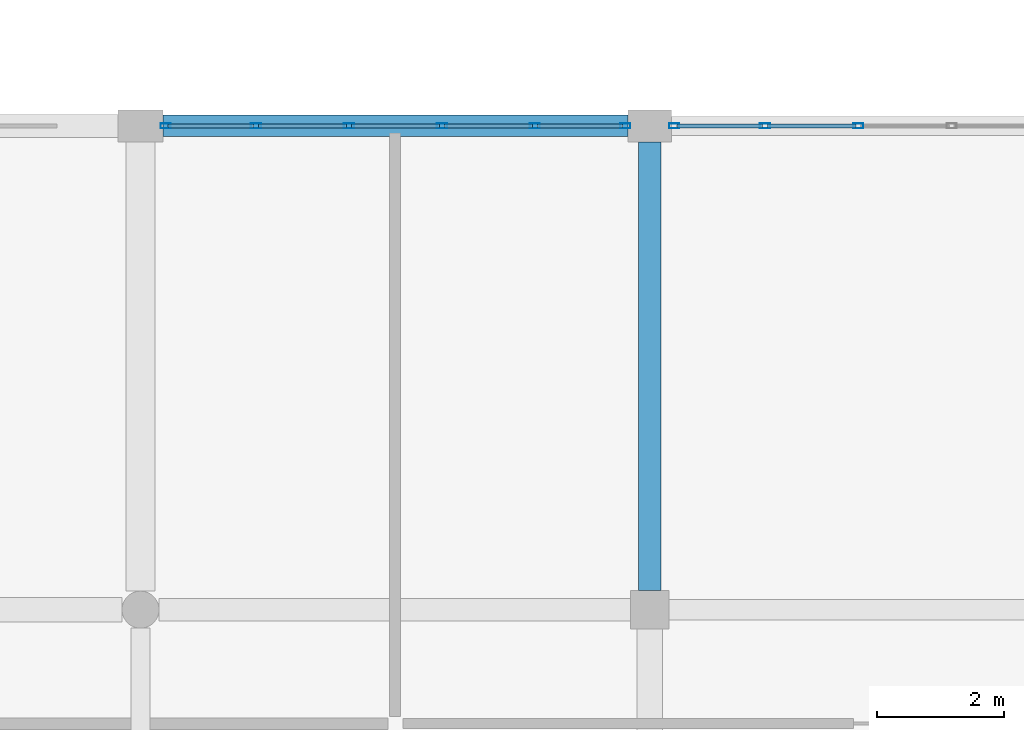
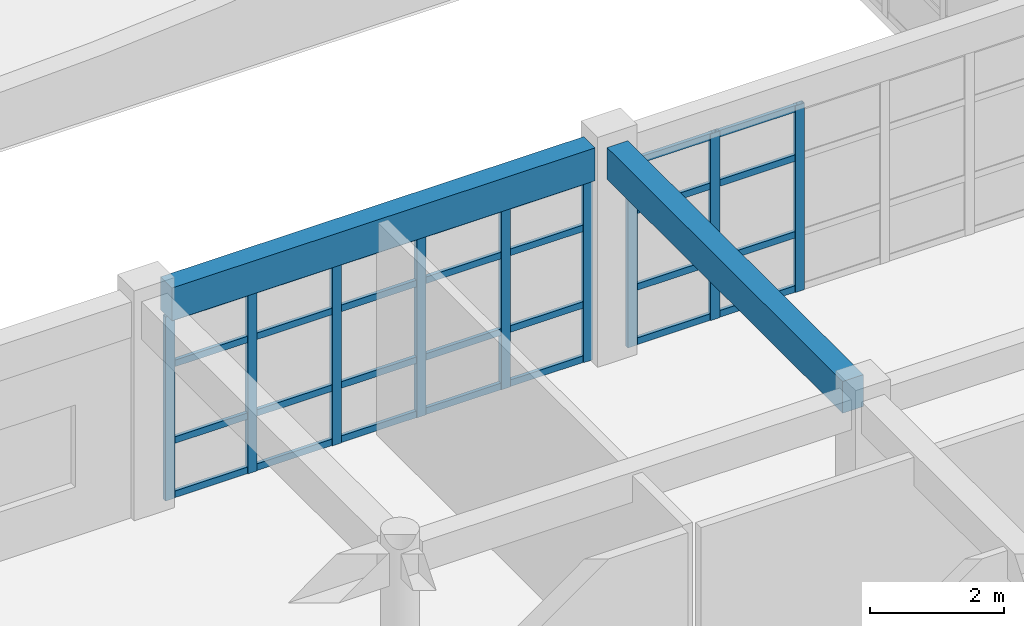
# One storey, part 17 of 121: 37 members, 2 beams, 2 elements without a shape of their own.
"""IFC4 building model written with IfcOpenShell, lengths in metres."""

from ifc_helpers import new_model, si_unit, direction, frame, origin, origin_2d, place, context, subcontext, project, spatial, rectangle, hollow_rectangle, extrude, material, material_profile, profile_set, type_object, element, aggregate, save


model = new_model("IFC4")

# Units and contexts
model_context = context("Model", 3, precision=1e-05, world=origin(), true_north=direction((0.0, 1.0)))
body_context = subcontext(model_context, "Body", "Model", "MODEL_VIEW")
ifc_project = project(units=[si_unit("LENGTHUNIT", "METRE"), si_unit("AREAUNIT", "SQUARE_METRE"), si_unit("VOLUMEUNIT", "CUBIC_METRE"), si_unit("PLANEANGLEUNIT", "RADIAN"), si_unit("MASSUNIT", "GRAM", prefix="KILO")], contexts=[model_context])

# Site, building, storey
site_placement = place(None, origin())
site = spatial("IfcSite", under=ifc_project, at=site_placement, CompositionType="ELEMENT")
building_placement = place(site_placement, origin())
building = spatial("IfcBuilding", under=site, at=building_placement, Name="Kharva Crest Polytechnic", CompositionType="ELEMENT")
storey_placement = place(building_placement, frame((0.0, 0.0, 13.199951171875)))
storey = spatial("IfcBuildingStorey", under=building, at=storey_placement, Name="L03", CompositionType="ELEMENT", Elevation=13.199951171875)

# Beam
ifc_material_1 = material(Name="Concrete C35/45", Category="concrete")
ifc_material_profile_1 = material_profile(ifc_material_1, rectangle(XDim=0.360107421875, YDim=0.580078125, at=origin_2d()), Name="RECT 360 X 580")
ifc_profile_set_1 = profile_set([ifc_material_profile_1], Name="Concrete C35/45")
beam_type_1 = type_object("IfcBeamType", Name="BM-RC-360X580", PredefinedType="BEAM", material=ifc_profile_set_1)
beam_1_placement = place(storey_placement, frame((24.0, 23.10009765625, 3.670166015625), z_axis=(0.0, 1.0, 0.0), x_axis=(-1.0, 0.0, 0.0)))
element("IfcBeam", 1, at=beam_1_placement, inside=storey, type_object=beam_type_1, Name="L03 Girder 4/D-E", PredefinedType="BEAM", context=body_context, shape_type="SweptSolid", body=[
    extrude(rectangle(XDim=0.360107421875, YDim=0.580078125, at=origin_2d()), origin(), (0.0, 0.0, 1.0), 7.0498046875),
])

# Curtain wall, members
ifc_material_2 = material(Name="Tempered insulated glass", Category="glass")
curtain_wall_type = type_object("IfcCurtainWallType", Name="CW-SYS-COURT", PredefinedType="USERDEFINED", material=ifc_material_2)
curtain_wall_1_placement = place(storey_placement, origin())
curtain_wall_1 = element("IfcCurtainWall", 2, at=curtain_wall_1_placement, inside=storey, type_object=curtain_wall_type, Name="L03 Glazed Curtain Wall CW-130", ObjectType="CURTAIN WALL", PredefinedType="USERDEFINED")
ifc_material_3 = material(Name="Steel S355", Category="steel")
ifc_material_profile_2 = material_profile(ifc_material_3, hollow_rectangle(XDim=0.080078125, YDim=0.159912109375, WallThickness=0.0048828125, at=origin_2d()), Name="RHS 160X80X5.0")
ifc_profile_set_2 = profile_set([ifc_material_profile_2], Name="Steel S355")
member_type_1 = type_object("IfcMemberType", Name="CWM-RHS160X80", PredefinedType="MULLION", material=ifc_profile_set_2)
member_1_placement = place(storey_placement, frame((27.277099609375, 30.39990234375, 0.0), z_axis=(0.0, 0.0, 1.0), x_axis=(0.0, -1.0, 0.0)))
member_1 = element("IfcMember", 3, at=member_1_placement, type_object=member_type_1, Name="CW-130 mullion 4", PredefinedType="MULLION", context=body_context, shape_type="SweptSolid", body=[
    extrude(hollow_rectangle(XDim=0.080078125, YDim=0.159912109375, WallThickness=0.0048828125, at=origin_2d()), origin(), (0.0, 0.0, 1.0), 3.41015625),
])
member_2_placement = place(storey_placement, frame((25.81103515625, 30.39990234375, 0.0), z_axis=(0.0, 0.0, 1.0), x_axis=(0.0, -1.0, 0.0)))
member_2 = element("IfcMember", 4, at=member_2_placement, type_object=member_type_1, Name="CW-130 mullion 5", PredefinedType="MULLION", context=body_context, shape_type="SweptSolid", body=[
    extrude(hollow_rectangle(XDim=0.080078125, YDim=0.159912109375, WallThickness=0.0048828125, at=origin_2d()), origin(), (0.0, 0.0, 1.0), 3.41015625),
])
member_3_placement = place(storey_placement, frame((24.385009765625, 30.39990234375, 0.0), z_axis=(0.0, 0.0, 1.0), x_axis=(0.0, -1.0, 0.0)))
member_3 = element("IfcMember", 5, at=member_3_placement, type_object=member_type_1, Name="CW-130 mullion 6", PredefinedType="MULLION", context=body_context, shape_type="SweptSolid", body=[
    extrude(hollow_rectangle(XDim=0.080078125, YDim=0.159912109375, WallThickness=0.0048828125, at=origin_2d()), origin(), (0.0, 0.0, 1.0), 3.41015625),
])

curtain_wall_2_placement = place(storey_placement, origin())
curtain_wall_2 = element("IfcCurtainWall", 6, at=curtain_wall_2_placement, inside=storey, type_object=curtain_wall_type, Name="L03 Glazed Curtain Wall CW-131", ObjectType="CURTAIN WALL", PredefinedType="USERDEFINED")
member_4_placement = place(storey_placement, frame((23.614990234375, 30.39990234375, 0.0), z_axis=(0.0, 0.0, 1.0), x_axis=(0.0, -1.0, 0.0)))
member_4 = element("IfcMember", 7, at=member_4_placement, type_object=member_type_1, Name="CW-131 mullion 1", PredefinedType="MULLION", context=body_context, shape_type="SweptSolid", body=[
    extrude(hollow_rectangle(XDim=0.080078125, YDim=0.159912109375, WallThickness=0.0048828125, at=origin_2d()), origin(), (0.0, 0.0, 1.0), 3.360107421875),
])
member_5_placement = place(storey_placement, frame((22.195068359375, 30.39990234375, 0.0), z_axis=(0.0, 0.0, 1.0), x_axis=(0.0, -1.0, 0.0)))
member_5 = element("IfcMember", 8, at=member_5_placement, type_object=member_type_1, Name="CW-131 mullion 2", PredefinedType="MULLION", context=body_context, shape_type="SweptSolid", body=[
    extrude(hollow_rectangle(XDim=0.080078125, YDim=0.159912109375, WallThickness=0.0048828125, at=origin_2d()), origin(), (0.0, 0.0, 1.0), 3.360107421875),
])
member_6_placement = place(storey_placement, frame((20.735107421875, 30.39990234375, 0.0), z_axis=(0.0, 0.0, 1.0), x_axis=(0.0, -1.0, 0.0)))
member_6 = element("IfcMember", 9, at=member_6_placement, type_object=member_type_1, Name="CW-131 mullion 3", PredefinedType="MULLION", context=body_context, shape_type="SweptSolid", body=[
    extrude(hollow_rectangle(XDim=0.080078125, YDim=0.159912109375, WallThickness=0.0048828125, at=origin_2d()), origin(), (0.0, 0.0, 1.0), 3.360107421875),
])
member_7_placement = place(storey_placement, frame((19.27490234375, 30.39990234375, 0.0), z_axis=(0.0, 0.0, 1.0), x_axis=(0.0, -1.0, 0.0)))
member_7 = element("IfcMember", 10, at=member_7_placement, type_object=member_type_1, Name="CW-131 mullion 4", PredefinedType="MULLION", context=body_context, shape_type="SweptSolid", body=[
    extrude(hollow_rectangle(XDim=0.080078125, YDim=0.159912109375, WallThickness=0.0048828125, at=origin_2d()), origin(), (0.0, 0.0, 1.0), 3.360107421875),
])
member_8_placement = place(storey_placement, frame((17.81494140625, 30.39990234375, 0.0), z_axis=(0.0, 0.0, 1.0), x_axis=(0.0, -1.0, 0.0)))
member_8 = element("IfcMember", 11, at=member_8_placement, type_object=member_type_1, Name="CW-131 mullion 5", PredefinedType="MULLION", context=body_context, shape_type="SweptSolid", body=[
    extrude(hollow_rectangle(XDim=0.080078125, YDim=0.159912109375, WallThickness=0.0048828125, at=origin_2d()), origin(), (0.0, 0.0, 1.0), 3.360107421875),
])
member_9_placement = place(storey_placement, frame((16.39501953125, 30.39990234375, 0.0), z_axis=(0.0, 0.0, 1.0), x_axis=(0.0, -1.0, 0.0)))
member_9 = element("IfcMember", 12, at=member_9_placement, type_object=member_type_1, Name="CW-131 mullion 6", PredefinedType="MULLION", context=body_context, shape_type="SweptSolid", body=[
    extrude(hollow_rectangle(XDim=0.080078125, YDim=0.159912109375, WallThickness=0.0048828125, at=origin_2d()), origin(), (0.0, 0.0, 1.0), 3.360107421875),
])

# Member
ifc_material_profile_3 = material_profile(ifc_material_3, hollow_rectangle(XDim=0.06005859375, YDim=0.1201171875, WallThickness=0.00390625, at=origin_2d()), Name="RHS 120X60X4.0")
ifc_profile_set_3 = profile_set([ifc_material_profile_3], Name="Steel S355")
member_type_2 = type_object("IfcMemberType", Name="CWT-RHS120X60", PredefinedType="USERDEFINED", material=ifc_profile_set_3)
member_10_placement = place(storey_placement, frame((27.237060546875, 30.39990234375, 0.06005859375), z_axis=(-1.0, 0.0, 0.0), x_axis=(0.0, -1.0, 0.0)))
member_10 = element("IfcMember", 13, at=member_10_placement, type_object=member_type_2, Name="CW-130 transom 4.1", ObjectType="TRANSOM", PredefinedType="USERDEFINED", context=body_context, shape_type="SweptSolid", body=[
    extrude(hollow_rectangle(XDim=0.06005859375, YDim=0.1201171875, WallThickness=0.00390625, at=origin_2d()), origin(), (0.0, 0.0, 1.0), 1.385986328125),
])

member_11_placement = place(storey_placement, frame((27.237060546875, 30.39990234375, 1.050048828125), z_axis=(-1.0, 0.0, 0.0), x_axis=(0.0, -1.0, 0.0)))
member_11 = element("IfcMember", 14, at=member_11_placement, type_object=member_type_2, Name="CW-130 transom 4.2", ObjectType="TRANSOM", PredefinedType="USERDEFINED", context=body_context, shape_type="SweptSolid", body=[
    extrude(hollow_rectangle(XDim=0.06005859375, YDim=0.1201171875, WallThickness=0.00390625, at=origin_2d()), origin(), (0.0, 0.0, 1.0), 1.385986328125),
])

member_12_placement = place(storey_placement, frame((27.237060546875, 30.39990234375, 2.449951171875), z_axis=(-1.0, 0.0, 0.0), x_axis=(0.0, -1.0, 0.0)))
member_12 = element("IfcMember", 15, at=member_12_placement, type_object=member_type_2, Name="CW-130 transom 4.3", ObjectType="TRANSOM", PredefinedType="USERDEFINED", context=body_context, shape_type="SweptSolid", body=[
    extrude(hollow_rectangle(XDim=0.06005859375, YDim=0.1201171875, WallThickness=0.00390625, at=origin_2d()), origin(), (0.0, 0.0, 1.0), 1.385986328125),
])

member_13_placement = place(storey_placement, frame((27.237060546875, 30.39990234375, 3.35009765625), z_axis=(-1.0, 0.0, 0.0), x_axis=(0.0, -1.0, 0.0)))
member_13 = element("IfcMember", 16, at=member_13_placement, type_object=member_type_2, Name="CW-130 transom 4.4", ObjectType="TRANSOM", PredefinedType="USERDEFINED", context=body_context, shape_type="SweptSolid", body=[
    extrude(hollow_rectangle(XDim=0.06005859375, YDim=0.1201171875, WallThickness=0.00390625, at=origin_2d()), origin(), (0.0, 0.0, 1.0), 1.385986328125),
])

member_14_placement = place(storey_placement, frame((25.77099609375, 30.39990234375, 0.06005859375), z_axis=(-1.0, 0.0, 0.0), x_axis=(0.0, -1.0, 0.0)))
member_14 = element("IfcMember", 17, at=member_14_placement, type_object=member_type_2, Name="CW-130 transom 5.1", ObjectType="TRANSOM", PredefinedType="USERDEFINED", context=body_context, shape_type="SweptSolid", body=[
    extrude(hollow_rectangle(XDim=0.06005859375, YDim=0.1201171875, WallThickness=0.00390625, at=origin_2d()), origin(), (0.0, 0.0, 1.0), 1.345947265625),
])

member_15_placement = place(storey_placement, frame((25.77099609375, 30.39990234375, 1.050048828125), z_axis=(-1.0, 0.0, 0.0), x_axis=(0.0, -1.0, 0.0)))
member_15 = element("IfcMember", 18, at=member_15_placement, type_object=member_type_2, Name="CW-130 transom 5.2", ObjectType="TRANSOM", PredefinedType="USERDEFINED", context=body_context, shape_type="SweptSolid", body=[
    extrude(hollow_rectangle(XDim=0.06005859375, YDim=0.1201171875, WallThickness=0.00390625, at=origin_2d()), origin(), (0.0, 0.0, 1.0), 1.345947265625),
])

member_16_placement = place(storey_placement, frame((25.77099609375, 30.39990234375, 2.449951171875), z_axis=(-1.0, 0.0, 0.0), x_axis=(0.0, -1.0, 0.0)))
member_16 = element("IfcMember", 19, at=member_16_placement, type_object=member_type_2, Name="CW-130 transom 5.3", ObjectType="TRANSOM", PredefinedType="USERDEFINED", context=body_context, shape_type="SweptSolid", body=[
    extrude(hollow_rectangle(XDim=0.06005859375, YDim=0.1201171875, WallThickness=0.00390625, at=origin_2d()), origin(), (0.0, 0.0, 1.0), 1.345947265625),
])

member_17_placement = place(storey_placement, frame((25.77099609375, 30.39990234375, 3.35009765625), z_axis=(-1.0, 0.0, 0.0), x_axis=(0.0, -1.0, 0.0)))
member_17 = element("IfcMember", 20, at=member_17_placement, type_object=member_type_2, Name="CW-130 transom 5.4", ObjectType="TRANSOM", PredefinedType="USERDEFINED", context=body_context, shape_type="SweptSolid", body=[
    extrude(hollow_rectangle(XDim=0.06005859375, YDim=0.1201171875, WallThickness=0.00390625, at=origin_2d()), origin(), (0.0, 0.0, 1.0), 1.345947265625),
])

aggregate(curtain_wall_1, [member_1, member_2, member_3, member_10, member_11, member_12, member_13, member_14, member_15, member_16, member_17])

member_18_placement = place(storey_placement, frame((23.574951171875, 30.39990234375, 0.06005859375), z_axis=(-1.0, 0.0, 0.0), x_axis=(0.0, -1.0, 0.0)))
member_18 = element("IfcMember", 21, at=member_18_placement, type_object=member_type_2, Name="CW-131 transom 1.1", ObjectType="TRANSOM", PredefinedType="USERDEFINED", context=body_context, shape_type="SweptSolid", body=[
    extrude(hollow_rectangle(XDim=0.06005859375, YDim=0.1201171875, WallThickness=0.00390625, at=origin_2d()), origin(), (0.0, 0.0, 1.0), 1.33984375),
])

member_19_placement = place(storey_placement, frame((23.574951171875, 30.39990234375, 1.050048828125), z_axis=(-1.0, 0.0, 0.0), x_axis=(0.0, -1.0, 0.0)))
member_19 = element("IfcMember", 22, at=member_19_placement, type_object=member_type_2, Name="CW-131 transom 1.2", ObjectType="TRANSOM", PredefinedType="USERDEFINED", context=body_context, shape_type="SweptSolid", body=[
    extrude(hollow_rectangle(XDim=0.06005859375, YDim=0.1201171875, WallThickness=0.00390625, at=origin_2d()), origin(), (0.0, 0.0, 1.0), 1.33984375),
])

member_20_placement = place(storey_placement, frame((23.574951171875, 30.39990234375, 2.449951171875), z_axis=(-1.0, 0.0, 0.0), x_axis=(0.0, -1.0, 0.0)))
member_20 = element("IfcMember", 23, at=member_20_placement, type_object=member_type_2, Name="CW-131 transom 1.3", ObjectType="TRANSOM", PredefinedType="USERDEFINED", context=body_context, shape_type="SweptSolid", body=[
    extrude(hollow_rectangle(XDim=0.06005859375, YDim=0.1201171875, WallThickness=0.00390625, at=origin_2d()), origin(), (0.0, 0.0, 1.0), 1.33984375),
])

member_21_placement = place(storey_placement, frame((23.574951171875, 30.39990234375, 3.300048828125), z_axis=(-1.0, 0.0, 0.0), x_axis=(0.0, -1.0, 0.0)))
member_21 = element("IfcMember", 24, at=member_21_placement, type_object=member_type_2, Name="CW-131 transom 1.4", ObjectType="TRANSOM", PredefinedType="USERDEFINED", context=body_context, shape_type="SweptSolid", body=[
    extrude(hollow_rectangle(XDim=0.06005859375, YDim=0.1201171875, WallThickness=0.00390625, at=origin_2d()), origin(), (0.0, 0.0, 1.0), 1.33984375),
])

member_22_placement = place(storey_placement, frame((22.155029296875, 30.39990234375, 0.06005859375), z_axis=(-1.0, 0.0, 0.0), x_axis=(0.0, -1.0, 0.0)))
member_22 = element("IfcMember", 25, at=member_22_placement, type_object=member_type_2, Name="CW-131 transom 2.1", ObjectType="TRANSOM", PredefinedType="USERDEFINED", context=body_context, shape_type="SweptSolid", body=[
    extrude(hollow_rectangle(XDim=0.06005859375, YDim=0.1201171875, WallThickness=0.00390625, at=origin_2d()), origin(), (0.0, 0.0, 1.0), 1.380126953125),
])

member_23_placement = place(storey_placement, frame((22.155029296875, 30.39990234375, 1.050048828125), z_axis=(-1.0, 0.0, 0.0), x_axis=(0.0, -1.0, 0.0)))
member_23 = element("IfcMember", 26, at=member_23_placement, type_object=member_type_2, Name="CW-131 transom 2.2", ObjectType="TRANSOM", PredefinedType="USERDEFINED", context=body_context, shape_type="SweptSolid", body=[
    extrude(hollow_rectangle(XDim=0.06005859375, YDim=0.1201171875, WallThickness=0.00390625, at=origin_2d()), origin(), (0.0, 0.0, 1.0), 1.380126953125),
])

member_24_placement = place(storey_placement, frame((22.155029296875, 30.39990234375, 2.449951171875), z_axis=(-1.0, 0.0, 0.0), x_axis=(0.0, -1.0, 0.0)))
member_24 = element("IfcMember", 27, at=member_24_placement, type_object=member_type_2, Name="CW-131 transom 2.3", ObjectType="TRANSOM", PredefinedType="USERDEFINED", context=body_context, shape_type="SweptSolid", body=[
    extrude(hollow_rectangle(XDim=0.06005859375, YDim=0.1201171875, WallThickness=0.00390625, at=origin_2d()), origin(), (0.0, 0.0, 1.0), 1.380126953125),
])

member_25_placement = place(storey_placement, frame((22.155029296875, 30.39990234375, 3.300048828125), z_axis=(-1.0, 0.0, 0.0), x_axis=(0.0, -1.0, 0.0)))
member_25 = element("IfcMember", 28, at=member_25_placement, type_object=member_type_2, Name="CW-131 transom 2.4", ObjectType="TRANSOM", PredefinedType="USERDEFINED", context=body_context, shape_type="SweptSolid", body=[
    extrude(hollow_rectangle(XDim=0.06005859375, YDim=0.1201171875, WallThickness=0.00390625, at=origin_2d()), origin(), (0.0, 0.0, 1.0), 1.380126953125),
])

member_26_placement = place(storey_placement, frame((20.695068359375, 30.39990234375, 0.06005859375), z_axis=(-1.0, 0.0, 0.0), x_axis=(0.0, -1.0, 0.0)))
member_26 = element("IfcMember", 29, at=member_26_placement, type_object=member_type_2, Name="CW-131 transom 3.1", ObjectType="TRANSOM", PredefinedType="USERDEFINED", context=body_context, shape_type="SweptSolid", body=[
    extrude(hollow_rectangle(XDim=0.06005859375, YDim=0.1201171875, WallThickness=0.00390625, at=origin_2d()), origin(), (0.0, 0.0, 1.0), 1.380126953125),
])

member_27_placement = place(storey_placement, frame((20.695068359375, 30.39990234375, 1.050048828125), z_axis=(-1.0, 0.0, 0.0), x_axis=(0.0, -1.0, 0.0)))
member_27 = element("IfcMember", 30, at=member_27_placement, type_object=member_type_2, Name="CW-131 transom 3.2", ObjectType="TRANSOM", PredefinedType="USERDEFINED", context=body_context, shape_type="SweptSolid", body=[
    extrude(hollow_rectangle(XDim=0.06005859375, YDim=0.1201171875, WallThickness=0.00390625, at=origin_2d()), origin(), (0.0, 0.0, 1.0), 1.380126953125),
])

member_28_placement = place(storey_placement, frame((20.695068359375, 30.39990234375, 2.449951171875), z_axis=(-1.0, 0.0, 0.0), x_axis=(0.0, -1.0, 0.0)))
member_28 = element("IfcMember", 31, at=member_28_placement, type_object=member_type_2, Name="CW-131 transom 3.3", ObjectType="TRANSOM", PredefinedType="USERDEFINED", context=body_context, shape_type="SweptSolid", body=[
    extrude(hollow_rectangle(XDim=0.06005859375, YDim=0.1201171875, WallThickness=0.00390625, at=origin_2d()), origin(), (0.0, 0.0, 1.0), 1.380126953125),
])

member_29_placement = place(storey_placement, frame((20.695068359375, 30.39990234375, 3.300048828125), z_axis=(-1.0, 0.0, 0.0), x_axis=(0.0, -1.0, 0.0)))
member_29 = element("IfcMember", 32, at=member_29_placement, type_object=member_type_2, Name="CW-131 transom 3.4", ObjectType="TRANSOM", PredefinedType="USERDEFINED", context=body_context, shape_type="SweptSolid", body=[
    extrude(hollow_rectangle(XDim=0.06005859375, YDim=0.1201171875, WallThickness=0.00390625, at=origin_2d()), origin(), (0.0, 0.0, 1.0), 1.380126953125),
])

member_30_placement = place(storey_placement, frame((19.235107421875, 30.39990234375, 0.06005859375), z_axis=(-1.0, 0.0, 0.0), x_axis=(0.0, -1.0, 0.0)))
member_30 = element("IfcMember", 33, at=member_30_placement, type_object=member_type_2, Name="CW-131 transom 4.1", ObjectType="TRANSOM", PredefinedType="USERDEFINED", context=body_context, shape_type="SweptSolid", body=[
    extrude(hollow_rectangle(XDim=0.06005859375, YDim=0.1201171875, WallThickness=0.00390625, at=origin_2d()), origin(), (0.0, 0.0, 1.0), 1.380126953125),
])

member_31_placement = place(storey_placement, frame((19.235107421875, 30.39990234375, 1.050048828125), z_axis=(-1.0, 0.0, 0.0), x_axis=(0.0, -1.0, 0.0)))
member_31 = element("IfcMember", 34, at=member_31_placement, type_object=member_type_2, Name="CW-131 transom 4.2", ObjectType="TRANSOM", PredefinedType="USERDEFINED", context=body_context, shape_type="SweptSolid", body=[
    extrude(hollow_rectangle(XDim=0.06005859375, YDim=0.1201171875, WallThickness=0.00390625, at=origin_2d()), origin(), (0.0, 0.0, 1.0), 1.380126953125),
])

member_32_placement = place(storey_placement, frame((19.235107421875, 30.39990234375, 2.449951171875), z_axis=(-1.0, 0.0, 0.0), x_axis=(0.0, -1.0, 0.0)))
member_32 = element("IfcMember", 35, at=member_32_placement, type_object=member_type_2, Name="CW-131 transom 4.3", ObjectType="TRANSOM", PredefinedType="USERDEFINED", context=body_context, shape_type="SweptSolid", body=[
    extrude(hollow_rectangle(XDim=0.06005859375, YDim=0.1201171875, WallThickness=0.00390625, at=origin_2d()), origin(), (0.0, 0.0, 1.0), 1.380126953125),
])

member_33_placement = place(storey_placement, frame((19.235107421875, 30.39990234375, 3.300048828125), z_axis=(-1.0, 0.0, 0.0), x_axis=(0.0, -1.0, 0.0)))
member_33 = element("IfcMember", 36, at=member_33_placement, type_object=member_type_2, Name="CW-131 transom 4.4", ObjectType="TRANSOM", PredefinedType="USERDEFINED", context=body_context, shape_type="SweptSolid", body=[
    extrude(hollow_rectangle(XDim=0.06005859375, YDim=0.1201171875, WallThickness=0.00390625, at=origin_2d()), origin(), (0.0, 0.0, 1.0), 1.380126953125),
])

member_34_placement = place(storey_placement, frame((17.77490234375, 30.39990234375, 0.06005859375), z_axis=(-1.0, 0.0, 0.0), x_axis=(0.0, -1.0, 0.0)))
member_34 = element("IfcMember", 37, at=member_34_placement, type_object=member_type_2, Name="CW-131 transom 5.1", ObjectType="TRANSOM", PredefinedType="USERDEFINED", context=body_context, shape_type="SweptSolid", body=[
    extrude(hollow_rectangle(XDim=0.06005859375, YDim=0.1201171875, WallThickness=0.00390625, at=origin_2d()), origin(), (0.0, 0.0, 1.0), 1.33984375),
])

member_35_placement = place(storey_placement, frame((17.77490234375, 30.39990234375, 1.050048828125), z_axis=(-1.0, 0.0, 0.0), x_axis=(0.0, -1.0, 0.0)))
member_35 = element("IfcMember", 38, at=member_35_placement, type_object=member_type_2, Name="CW-131 transom 5.2", ObjectType="TRANSOM", PredefinedType="USERDEFINED", context=body_context, shape_type="SweptSolid", body=[
    extrude(hollow_rectangle(XDim=0.06005859375, YDim=0.1201171875, WallThickness=0.00390625, at=origin_2d()), origin(), (0.0, 0.0, 1.0), 1.33984375),
])

member_36_placement = place(storey_placement, frame((17.77490234375, 30.39990234375, 2.449951171875), z_axis=(-1.0, 0.0, 0.0), x_axis=(0.0, -1.0, 0.0)))
member_36 = element("IfcMember", 39, at=member_36_placement, type_object=member_type_2, Name="CW-131 transom 5.3", ObjectType="TRANSOM", PredefinedType="USERDEFINED", context=body_context, shape_type="SweptSolid", body=[
    extrude(hollow_rectangle(XDim=0.06005859375, YDim=0.1201171875, WallThickness=0.00390625, at=origin_2d()), origin(), (0.0, 0.0, 1.0), 1.33984375),
])

member_37_placement = place(storey_placement, frame((17.77490234375, 30.39990234375, 3.300048828125), z_axis=(-1.0, 0.0, 0.0), x_axis=(0.0, -1.0, 0.0)))
member_37 = element("IfcMember", 40, at=member_37_placement, type_object=member_type_2, Name="CW-131 transom 5.4", ObjectType="TRANSOM", PredefinedType="USERDEFINED", context=body_context, shape_type="SweptSolid", body=[
    extrude(hollow_rectangle(XDim=0.06005859375, YDim=0.1201171875, WallThickness=0.00390625, at=origin_2d()), origin(), (0.0, 0.0, 1.0), 1.33984375),
])

aggregate(curtain_wall_2, [member_4, member_5, member_6, member_7, member_8, member_9, member_18, member_19, member_20, member_21, member_22, member_23, member_24, member_25, member_26, member_27, member_28, member_29, member_30, member_31, member_32, member_33, member_34, member_35, member_36, member_37])

# Beam
ifc_material_profile_4 = material_profile(ifc_material_1, rectangle(XDim=0.340087890625, YDim=0.60009765625, at=origin_2d()), Name="RECT 340 X 600")
ifc_profile_set_4 = profile_set([ifc_material_profile_4], Name="Concrete C35/45")
beam_type_2 = type_object("IfcBeamType", Name="SP-RC-340X600", PredefinedType="SPANDREL", material=ifc_profile_set_4)
beam_2_placement = place(storey_placement, frame((16.35009765625, 30.39990234375, 3.66015625), z_axis=(1.0, 0.0, 0.0), x_axis=(0.0, 1.0, 0.0)))
element("IfcBeam", 41, at=beam_2_placement, inside=storey, type_object=beam_type_2, Name="L03 Beam E/3-4", PredefinedType="SPANDREL", context=body_context, shape_type="SweptSolid", body=[
    extrude(rectangle(XDim=0.340087890625, YDim=0.60009765625, at=origin_2d()), origin(), (0.0, 0.0, 1.0), 7.309814453125),
])

save(model, "model.ifc")
